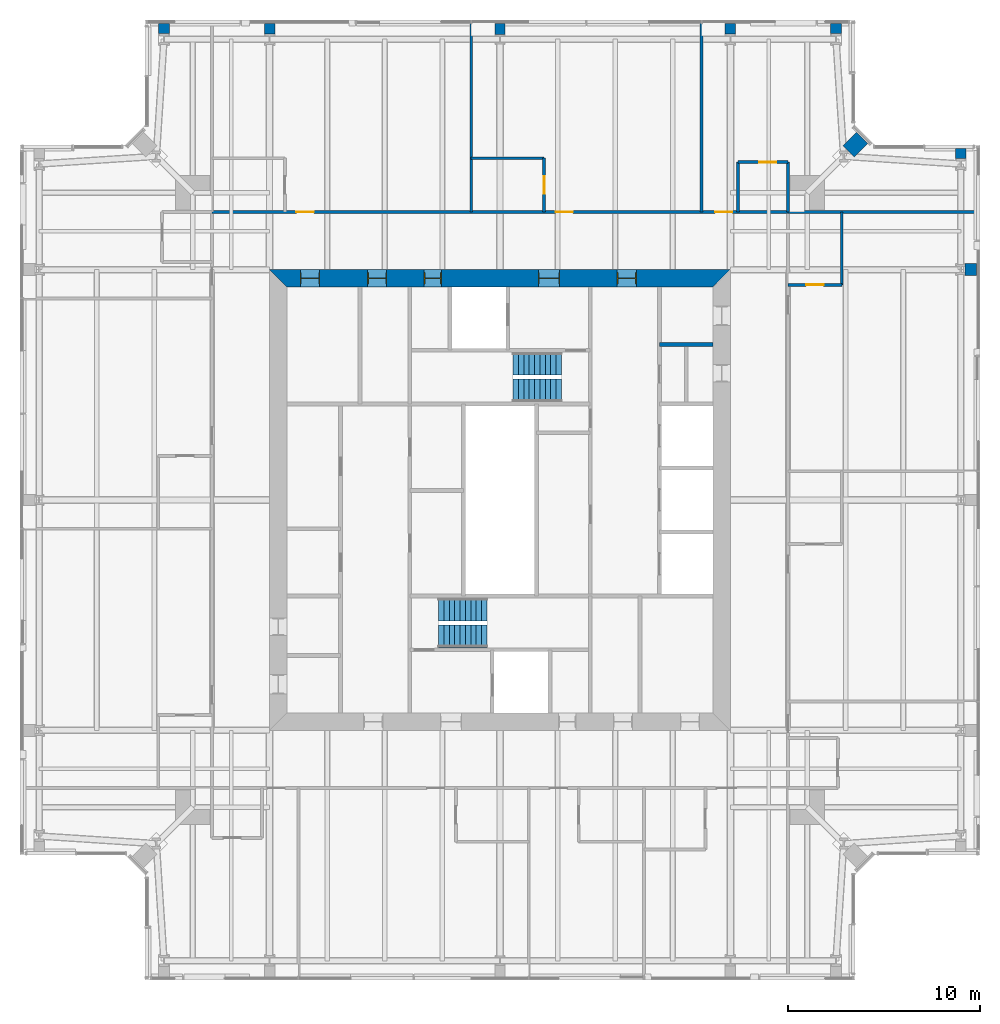
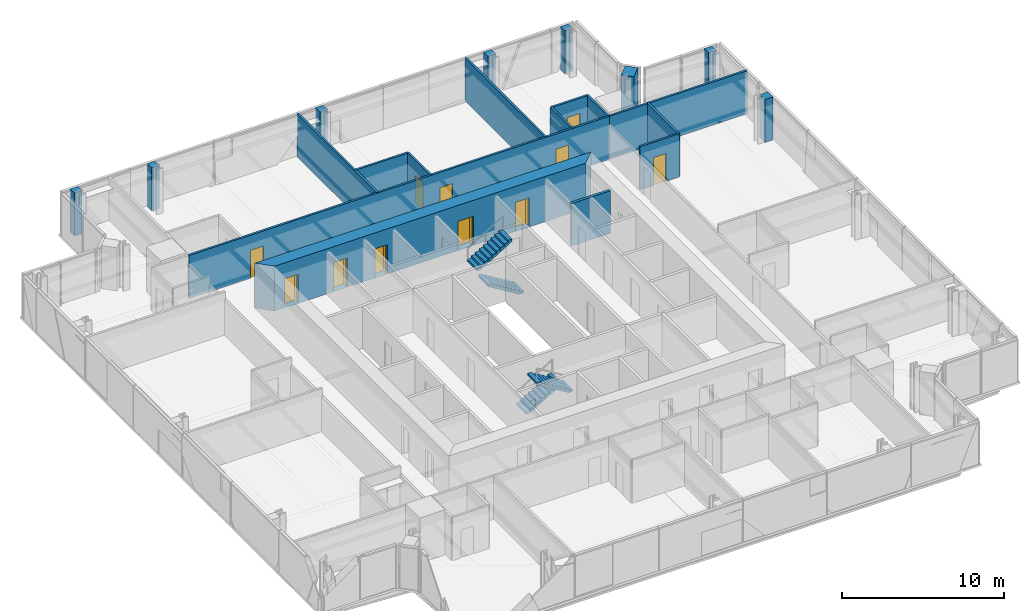
# One storey, part 14 of 20: 21 walls, 11 doors, 4 stair flights, 11 openings, 2 elements without a shape of their own.
"""IFC4 building model written with IfcOpenShell, lengths in metres."""

from ifc_helpers import new_model, si_unit, direction, frame, frame_2d, origin, place, context, subcontext, project, spatial, polyline, rectangle, outline, extrude, material, layer, layer_set, type_object, element, fill, aggregate, save


model = new_model("IFC4")

# Units and contexts
model_context = context("Model", 3, precision=1e-05, world=origin(), true_north=direction((0.0, 1.0)))
body_context = subcontext(model_context, "Body", "Model", "MODEL_VIEW")
ifc_project = project(units=[si_unit("LENGTHUNIT", "METRE"), si_unit("AREAUNIT", "SQUARE_METRE"), si_unit("VOLUMEUNIT", "CUBIC_METRE"), si_unit("PLANEANGLEUNIT", "RADIAN"), si_unit("MASSUNIT", "GRAM", prefix="KILO")], contexts=[model_context])

# Site, building, storey
site_placement = place(None, origin())
site = spatial("IfcSite", under=ifc_project, at=site_placement, CompositionType="ELEMENT")
building_placement = place(site_placement, origin())
building = spatial("IfcBuilding", under=site, at=building_placement, Name="Fenwick Lantern Interchange", CompositionType="ELEMENT")
storey_placement = place(building_placement, frame((0.0, 0.0, 276.39990234375)))
storey = spatial("IfcBuildingStorey", under=building, at=storey_placement, Name="L66", CompositionType="ELEMENT", Elevation=276.39990234375)

# Walls
ifc_material_1 = material(Name="Fire-rated gypsum board encasement on steel studs, 2 hour", Category="steel")
ifc_layer_1 = layer(ifc_material_1, 0.52392578125)
ifc_layer_set_1 = layer_set([ifc_layer_1], Name="COLUMN PIER 524")
wall_type_1 = type_object("IfcWallType", Name="COLUMN PIER 524", PredefinedType="PARTITIONING", material=ifc_layer_set_1)
wall_1_placement = place(storey_placement, frame((25.0, 49.81005859375, 0.0), z_axis=(0.0, 0.0, 1.0), x_axis=(0.0, -1.0, 0.0)))
element("IfcWall", 1, at=wall_1_placement, inside=storey, type_object=wall_type_1, Name="L66/W/PIER/CN3", PredefinedType="PARTITIONING", context=body_context, shape_type="SweptSolid", body=[
    extrude(rectangle(XDim=0.572509765625, YDim=0.52392578125, at=frame_2d((0.2861328125, 0.0))), origin(), (0.0, 0.0, 1.0), 3.25),
])
ifc_layer_2 = layer(ifc_material_1, 0.5419921875)
ifc_layer_set_2 = layer_set([ifc_layer_2], Name="COLUMN PIER 542")
wall_type_2 = type_object("IfcWallType", Name="COLUMN PIER 542", PredefinedType="PARTITIONING", material=ifc_layer_set_2)
for number, where, z_axis, x_axis, name in (
    (2, (37.0, 49.81005859375, 0.0), (0.0, 0.0, 1.0), (0.0, -1.0, 0.0), "L66/W/PIER/CN2"),
    (3, (13.0, 49.81005859375, 0.0), (0.0, 0.0, 1.0), (0.0, -1.0, 0.0), "L66/W/PIER/CN4"),
):
    element("IfcWall", number, at=place(storey_placement, frame(where, z_axis=z_axis, x_axis=x_axis)), inside=storey, type_object=wall_type_2, Name=name, PredefinedType="PARTITIONING", context=body_context, shape_type="SweptSolid", body=[
        extrude(rectangle(XDim=0.544677734375, YDim=0.5419921875, at=frame_2d((0.2724609375, 0.0))), origin(), (0.0, 0.0, 1.0), 3.25),
    ])
ifc_layer_3 = layer(ifc_material_1, 0.554931640625)
ifc_layer_set_3 = layer_set([ifc_layer_3], Name="COLUMN PIER 555")
wall_type_3 = type_object("IfcWallType", Name="COLUMN PIER 555", PredefinedType="PARTITIONING", material=ifc_layer_set_3)
for number, where, z_axis, x_axis, name in (
    (4, (49.0, 43.31005859375, 0.0), (0.0, 0.0, 1.0), (0.0, -1.0, 0.0), "L66/W/PIER/CE5"),
    (5, (42.5, 49.81005859375, 0.0), (0.0, 0.0, 1.0), (0.0, -1.0, 0.0), "L66/W/PIER/CN1"),
    (6, (7.5, 49.81005859375, 0.0), (0.0, 0.0, 1.0), (0.0, -1.0, 0.0), "L66/W/PIER/CN5"),
):
    element("IfcWall", number, at=place(storey_placement, frame(where, z_axis=z_axis, x_axis=x_axis)), inside=storey, type_object=wall_type_3, Name=name, PredefinedType="PARTITIONING", context=body_context, shape_type="SweptSolid", body=[
        extrude(rectangle(XDim=0.525634765625, YDim=0.554931640625, at=frame_2d((0.2626953125, 0.0))), origin(), (0.0, 0.0, 1.0), 3.25),
    ])
ifc_layer_4 = layer(ifc_material_1, 0.631103515625)
ifc_layer_set_4 = layer_set([ifc_layer_4], Name="COLUMN PIER 631")
wall_type_4 = type_object("IfcWallType", Name="COLUMN PIER 631", PredefinedType="PARTITIONING", material=ifc_layer_set_4)
wall_2_placement = place(storey_placement, frame((49.81005859375, 37.0, 0.0), z_axis=(0.0, 0.0, 1.0), x_axis=(-1.0, 0.0, 0.0)))
element("IfcWall", 7, at=wall_2_placement, inside=storey, type_object=wall_type_4, Name="L66/W/PIER/CE4", PredefinedType="PARTITIONING", context=body_context, shape_type="SweptSolid", body=[
    extrude(rectangle(XDim=0.589111328125, YDim=0.631103515625, at=frame_2d((0.29443359375, 0.0))), origin(), (0.0, 0.0, 1.0), 3.25),
])
ifc_layer_5 = layer(ifc_material_1, 0.823974609375)
ifc_layer_set_5 = layer_set([ifc_layer_5], Name="COLUMN PIER 824")
wall_type_5 = type_object("IfcWallType", Name="COLUMN PIER 824", PredefinedType="PARTITIONING", material=ifc_layer_set_5)
wall_3_placement = place(storey_placement, frame((43.86572265625, 43.86572265625, 0.0), z_axis=(0.0, 0.0, 1.0), x_axis=(-0.707106781187, -0.707106781187, 0.0)))
element("IfcWall", 8, at=wall_3_placement, inside=storey, type_object=wall_type_5, Name="L66/W/PIER/CER", PredefinedType="PARTITIONING", context=body_context, shape_type="SweptSolid", body=[
    extrude(rectangle(XDim=1.003662109375, YDim=0.823974609375, at=frame_2d((0.501953125, 0.0))), origin(), (0.0, 0.0, 1.0), 3.25),
])
ifc_material_2 = material(Name="Concrete masonry ASTM C90 Grade N", Category="masonry")
ifc_layer_6 = layer(ifc_material_2, 0.199951171875)
ifc_layer_set_6 = layer_set([ifc_layer_6], Name="Concrete masonry ASTM C90 Grade N")
wall_type_6 = type_object("IfcWallType", Name="CORE PARTITION 200", PredefinedType="PARTITIONING", material=ifc_layer_set_6)
wall_4_placement = place(storey_placement, frame((36.10009765625, 33.10009765625, 0.0), z_axis=(0.0, 0.0, 1.0), x_axis=(-1.0, 0.0, 0.0)))
element("IfcWall", 9, at=wall_4_placement, inside=storey, type_object=wall_type_6, Name="L66/W/COREN/p1", PredefinedType="PARTITIONING", context=body_context, shape_type="SweptSolid", body=[
    extrude(rectangle(XDim=2.800048828125, YDim=0.199951171875, at=frame_2d((1.39990234375, 0.0))), origin(), (0.0, 0.0, 1.0), 3.2001953125),
])

# Wall, openings, doors
ifc_material_3 = material(Name="Concrete f'c 70 MPa", Category="concrete")
ifc_layer_7 = layer(ifc_material_3, 0.89990234375)
ifc_layer_set_7 = layer_set([ifc_layer_7], Name="CORE WALL 900")
wall_type_7 = type_object("IfcWallType", Name="CORE WALL 900", PredefinedType="SHEAR", material=ifc_layer_set_7)
wall_5_placement = place(storey_placement, frame((37.0, 36.550048828125, 0.0), z_axis=(0.0, 0.0, 1.0), x_axis=(-1.0, 0.0, 0.0)))
wall_5 = element("IfcWall", 10, at=wall_5_placement, inside=storey, type_object=wall_type_7, Name="L66/CORE/N", PredefinedType="SHEAR", context=body_context, shape_type="SweptSolid", body=[
    extrude(outline(polyline([(0.0, -0.449951171875), (24.0, -0.449951171875), (23.10009765625, 0.449951171875), (0.89990234375, 0.449951171875), (0.0, -0.449951171875)])), origin(), (0.0, 0.0, 1.0), 3.400146484375),
])
opening_1_placement = place(wall_5_placement, frame((4.89990234375, 0.0, 0.0)))
opening_1 = element("IfcOpeningElement", 11, at=opening_1_placement, cuts=wall_5, Name="Opening L66-D013", PredefinedType="OPENING", context=body_context, shape_type="SweptSolid", body=[
    extrude(rectangle(XDim=1.0, YDim=2.199951171875, at=frame_2d((0.5, 1.10009765625))), frame((0.0, 0.4599609375, 0.0), z_axis=(0.0, -1.0, 0.0), x_axis=(1.0, 0.0, 0.0)), (0.0, 0.0, 1.0), 0.919921875),
])
opening_2_placement = place(wall_5_placement, frame((8.89990234375, 0.0, 0.0)))
opening_2 = element("IfcOpeningElement", 12, at=opening_2_placement, cuts=wall_5, Name="Opening L66-D014", PredefinedType="OPENING", context=body_context, shape_type="SweptSolid", body=[
    extrude(rectangle(XDim=1.10009765625, YDim=2.199951171875, at=frame_2d((0.550048828125, 1.10009765625))), frame((0.0, 0.4599609375, 0.0), z_axis=(0.0, -1.0, 0.0), x_axis=(1.0, 0.0, 0.0)), (0.0, 0.0, 1.0), 0.919921875),
])
opening_3_placement = place(wall_5_placement, frame((15.050048828125, 0.0, 0.0)))
opening_3 = element("IfcOpeningElement", 13, at=opening_3_placement, cuts=wall_5, Name="Opening L66-D016", PredefinedType="OPENING", context=body_context, shape_type="SweptSolid", body=[
    extrude(rectangle(XDim=0.89990234375, YDim=2.199951171875, at=frame_2d((0.449951171875, 1.10009765625))), frame((0.0, 0.4599609375, 0.0), z_axis=(0.0, -1.0, 0.0), x_axis=(1.0, 0.0, 0.0)), (0.0, 0.0, 1.0), 0.919921875),
])
opening_4_placement = place(wall_5_placement, frame((17.89990234375, 0.0, 0.0)))
opening_4 = element("IfcOpeningElement", 14, at=opening_4_placement, cuts=wall_5, Name="Opening L66-D017", PredefinedType="OPENING", context=body_context, shape_type="SweptSolid", body=[
    extrude(rectangle(XDim=1.0, YDim=2.199951171875, at=frame_2d((0.5, 1.10009765625))), frame((0.0, 0.4599609375, 0.0), z_axis=(0.0, -1.0, 0.0), x_axis=(1.0, 0.0, 0.0)), (0.0, 0.0, 1.0), 0.919921875),
])
opening_5_placement = place(wall_5_placement, frame((21.39990234375, 0.0, 0.0)))
opening_5 = element("IfcOpeningElement", 15, at=opening_5_placement, cuts=wall_5, Name="Opening L66-D018", PredefinedType="OPENING", context=body_context, shape_type="SweptSolid", body=[
    extrude(rectangle(XDim=1.0, YDim=2.199951171875, at=frame_2d((0.5, 1.10009765625))), frame((0.0, 0.4599609375, 0.0), z_axis=(0.0, -1.0, 0.0), x_axis=(1.0, 0.0, 0.0)), (0.0, 0.0, 1.0), 0.919921875),
])
ifc_material_4 = material(Name="Steel door and frame", Category="steel")
door_type_1 = type_object("IfcDoorType", Name="CORE LOBBY DOOR 1000 X 2200", OperationType="SINGLE_SWING_LEFT", PredefinedType="DOOR", material=ifc_material_4)
door_1_placement = place(opening_1_placement, origin())
door_1 = element("IfcDoor", 16, at=door_1_placement, inside=storey, type_object=door_type_1, Name="Core lobby door", OperationType="SINGLE_SWING_LEFT", OverallHeight=2.199951171875, OverallWidth=1.0, PredefinedType="DOOR", context=body_context, shape_type="SweptSolid", body=[
    extrude(rectangle(XDim=1.0, YDim=2.199951171875, at=frame_2d((0.5, 1.10009765625))), frame((0.0, 0.02490234375, 0.0), z_axis=(0.0, -1.0, 0.0), x_axis=(1.0, 0.0, 0.0)), (0.0, 0.0, 1.0), 0.050048828125),
    extrude(outline(polyline([(0.0, 0.0), (0.0400390625, 0.0), (0.0400390625, 2.159912109375), (0.9599609375, 2.159912109375), (0.9599609375, 0.0), (1.0, 0.0), (1.0, 2.199951171875), (0.0, 2.199951171875), (0.0, 0.0)])), frame((0.0, 0.300048828125, 0.0), z_axis=(0.0, -1.0, 0.0), x_axis=(1.0, 0.0, 0.0)), (0.0, 0.0, 1.0), 0.60009765625),
])
fill(opening_1, door_1)
door_type_2 = type_object("IfcDoorType", Name="FIRE LOBBY DOOR 1100 X 2200", OperationType="SINGLE_SWING_LEFT", PredefinedType="DOOR", material=ifc_material_4)
door_2_placement = place(opening_2_placement, origin())
door_2 = element("IfcDoor", 17, at=door_2_placement, inside=storey, type_object=door_type_2, Name="Fire lobby door", OperationType="SINGLE_SWING_LEFT", OverallHeight=2.199951171875, OverallWidth=1.10009765625, PredefinedType="DOOR", context=body_context, shape_type="SweptSolid", body=[
    extrude(rectangle(XDim=1.10009765625, YDim=2.199951171875, at=frame_2d((0.550048828125, 1.10009765625))), frame((0.0, 0.02490234375, 0.0), z_axis=(0.0, -1.0, 0.0), x_axis=(1.0, 0.0, 0.0)), (0.0, 0.0, 1.0), 0.050048828125),
    extrude(outline(polyline([(0.0, 0.0), (0.0400390625, 0.0), (0.0400390625, 2.159912109375), (1.06005859375, 2.159912109375), (1.06005859375, 0.0), (1.10009765625, 0.0), (1.10009765625, 2.199951171875), (0.0, 2.199951171875), (0.0, 0.0)])), frame((0.0, 0.300048828125, 0.0), z_axis=(0.0, -1.0, 0.0), x_axis=(1.0, 0.0, 0.0)), (0.0, 0.0, 1.0), 0.60009765625),
])
fill(opening_2, door_2)
door_type_3 = type_object("IfcDoorType", Name="SERVICE DOOR 900 X 2200", OperationType="SINGLE_SWING_LEFT", PredefinedType="DOOR", material=ifc_material_4)
door_3_placement = place(opening_3_placement, origin())
door_3 = element("IfcDoor", 18, at=door_3_placement, inside=storey, type_object=door_type_3, Name="Service door", OperationType="SINGLE_SWING_LEFT", OverallHeight=2.199951171875, OverallWidth=0.89990234375, PredefinedType="DOOR", context=body_context, shape_type="SweptSolid", body=[
    extrude(rectangle(XDim=0.89990234375, YDim=2.199951171875, at=frame_2d((0.449951171875, 1.10009765625))), frame((0.0, 0.02490234375, 0.0), z_axis=(0.0, -1.0, 0.0), x_axis=(1.0, 0.0, 0.0)), (0.0, 0.0, 1.0), 0.050048828125),
    extrude(outline(polyline([(0.0, 0.0), (0.0400390625, 0.0), (0.0400390625, 2.159912109375), (0.85986328125, 2.159912109375), (0.85986328125, 0.0), (0.89990234375, 0.0), (0.89990234375, 2.199951171875), (0.0, 2.199951171875), (0.0, 0.0)])), frame((0.0, 0.300048828125, 0.0), z_axis=(0.0, -1.0, 0.0), x_axis=(1.0, 0.0, 0.0)), (0.0, 0.0, 1.0), 0.60009765625),
])
fill(opening_3, door_3)
ifc_material_5 = material(Name="Hardwood door and steel frame", Category="steel")
door_type_4 = type_object("IfcDoorType", Name="WC DOOR 1000 X 2200", OperationType="SINGLE_SWING_LEFT", PredefinedType="DOOR", material=ifc_material_5)
door_4_placement = place(opening_4_placement, origin())
door_4 = element("IfcDoor", 19, at=door_4_placement, inside=storey, type_object=door_type_4, Name="Wc door", OperationType="SINGLE_SWING_RIGHT", OverallHeight=2.199951171875, OverallWidth=1.0, PredefinedType="DOOR", context=body_context, shape_type="SweptSolid", body=[
    extrude(rectangle(XDim=1.0, YDim=2.199951171875, at=frame_2d((0.5, 1.10009765625))), frame((0.0, 0.02490234375, 0.0), z_axis=(0.0, -1.0, 0.0), x_axis=(1.0, 0.0, 0.0)), (0.0, 0.0, 1.0), 0.050048828125),
    extrude(outline(polyline([(0.0, 0.0), (0.0400390625, 0.0), (0.0400390625, 2.159912109375), (0.9599609375, 2.159912109375), (0.9599609375, 0.0), (1.0, 0.0), (1.0, 2.199951171875), (0.0, 2.199951171875), (0.0, 0.0)])), frame((0.0, 0.300048828125, 0.0), z_axis=(0.0, -1.0, 0.0), x_axis=(1.0, 0.0, 0.0)), (0.0, 0.0, 1.0), 0.60009765625),
])
fill(opening_4, door_4)
door_5_placement = place(opening_5_placement, origin())
door_5 = element("IfcDoor", 20, at=door_5_placement, inside=storey, type_object=door_type_4, Name="Wc door", OperationType="SINGLE_SWING_RIGHT", OverallHeight=2.199951171875, OverallWidth=1.0, PredefinedType="DOOR", context=body_context, shape_type="SweptSolid", body=[
    extrude(rectangle(XDim=1.0, YDim=2.199951171875, at=frame_2d((0.5, 1.10009765625))), frame((0.0, 0.02490234375, 0.0), z_axis=(0.0, -1.0, 0.0), x_axis=(1.0, 0.0, 0.0)), (0.0, 0.0, 1.0), 0.050048828125),
    extrude(outline(polyline([(0.0, 0.0), (0.0400390625, 0.0), (0.0400390625, 2.159912109375), (0.9599609375, 2.159912109375), (0.9599609375, 0.0), (1.0, 0.0), (1.0, 2.199951171875), (0.0, 2.199951171875), (0.0, 0.0)])), frame((0.0, 0.300048828125, 0.0), z_axis=(0.0, -1.0, 0.0), x_axis=(1.0, 0.0, 0.0)), (0.0, 0.0, 1.0), 0.60009765625),
])
fill(opening_5, door_5)

ifc_material_6 = material(Name="Gypsum board on steel studs, 1 hour", Category="steel")
ifc_layer_8 = layer(ifc_material_6, 0.14990234375)
ifc_layer_set_8 = layer_set([ifc_layer_8], Name="CORRIDOR WALL 150")
wall_type_8 = type_object("IfcWallType", Name="CORRIDOR WALL 150", PredefinedType="PARTITIONING", material=ifc_layer_set_8)
wall_6_placement = place(storey_placement, frame((40.0, 40.0, 0.0), z_axis=(0.0, 0.0, 1.0), x_axis=(-1.0, 0.0, 0.0)))
wall_6 = element("IfcWall", 21, at=wall_6_placement, inside=storey, type_object=wall_type_8, Name="L66/W/HOTEL/N/CW", PredefinedType="PARTITIONING", context=body_context, shape_type="SweptSolid", body=[
    extrude(rectangle(XDim=30.0, YDim=0.14990234375, at=frame_2d((15.0, 0.0))), origin(), (0.0, 0.0, 1.0), 3.25),
])
opening_6_placement = place(wall_6_placement, frame((2.89990234375, 0.0, 0.0)))
opening_6 = element("IfcOpeningElement", 22, at=opening_6_placement, cuts=wall_6, Name="Opening L66-D038", PredefinedType="OPENING", context=body_context, shape_type="SweptSolid", body=[
    extrude(rectangle(XDim=0.89990234375, YDim=2.10009765625, at=frame_2d((0.449951171875, 1.050048828125))), frame((0.0, 0.0849609375, 0.0), z_axis=(0.0, -1.0, 0.0), x_axis=(1.0, 0.0, 0.0)), (0.0, 0.0, 1.0), 0.169921875),
])
opening_7_placement = place(wall_6_placement, frame((11.199951171875, 0.0, 0.0)))
opening_7 = element("IfcOpeningElement", 23, at=opening_7_placement, cuts=wall_6, Name="Opening L66-D041", PredefinedType="OPENING", context=body_context, shape_type="SweptSolid", body=[
    extrude(rectangle(XDim=0.89990234375, YDim=2.10009765625, at=frame_2d((0.449951171875, 1.050048828125))), frame((0.0, 0.0849609375, 0.0), z_axis=(0.0, -1.0, 0.0), x_axis=(1.0, 0.0, 0.0)), (0.0, 0.0, 1.0), 0.169921875),
])
opening_8_placement = place(wall_6_placement, frame((24.699951171875, 0.0, 0.0)))
opening_8 = element("IfcOpeningElement", 24, at=opening_8_placement, cuts=wall_6, Name="Opening L66-D043", PredefinedType="OPENING", context=body_context, shape_type="SweptSolid", body=[
    extrude(rectangle(XDim=0.89990234375, YDim=2.10009765625, at=frame_2d((0.449951171875, 1.050048828125))), frame((0.0, 0.0849609375, 0.0), z_axis=(0.0, -1.0, 0.0), x_axis=(1.0, 0.0, 0.0)), (0.0, 0.0, 1.0), 0.169921875),
])
door_type_5 = type_object("IfcDoorType", Name="GUEST ROOM DOOR 900 X 2100", OperationType="SINGLE_SWING_LEFT", PredefinedType="DOOR", material=ifc_material_4)
door_6_placement = place(opening_6_placement, frame((0.89990234375, 0.0, 0.0), z_axis=(0.0, 0.0, 1.0), x_axis=(-1.0, 0.0, 0.0)))
door_6 = element("IfcDoor", 25, at=door_6_placement, inside=storey, type_object=door_type_5, Name="Guest room door", OperationType="SINGLE_SWING_RIGHT", OverallHeight=2.10009765625, OverallWidth=0.89990234375, PredefinedType="DOOR", context=body_context, shape_type="SweptSolid", body=[
    extrude(rectangle(XDim=0.89990234375, YDim=2.10009765625, at=frame_2d((0.449951171875, 1.050048828125))), frame((0.0, 0.02490234375, 0.0), z_axis=(0.0, -1.0, 0.0), x_axis=(1.0, 0.0, 0.0)), (0.0, 0.0, 1.0), 0.050048828125),
])
fill(opening_6, door_6)
door_7_placement = place(opening_7_placement, frame((0.89990234375, 0.0, 0.0), z_axis=(0.0, 0.0, 1.0), x_axis=(-1.0, 0.0, 0.0)))
door_7 = element("IfcDoor", 26, at=door_7_placement, inside=storey, type_object=door_type_5, Name="Guest room door", OperationType="SINGLE_SWING_LEFT", OverallHeight=2.10009765625, OverallWidth=0.89990234375, PredefinedType="DOOR", context=body_context, shape_type="SweptSolid", body=[
    extrude(rectangle(XDim=0.89990234375, YDim=2.10009765625, at=frame_2d((0.449951171875, 1.050048828125))), frame((0.0, 0.02490234375, 0.0), z_axis=(0.0, -1.0, 0.0), x_axis=(1.0, 0.0, 0.0)), (0.0, 0.0, 1.0), 0.050048828125),
])
fill(opening_7, door_7)
door_8_placement = place(opening_8_placement, frame((0.89990234375, 0.0, 0.0), z_axis=(0.0, 0.0, 1.0), x_axis=(-1.0, 0.0, 0.0)))
door_8 = element("IfcDoor", 27, at=door_8_placement, inside=storey, type_object=door_type_5, Name="Guest room door", OperationType="SINGLE_SWING_LEFT", OverallHeight=2.10009765625, OverallWidth=0.89990234375, PredefinedType="DOOR", context=body_context, shape_type="SweptSolid", body=[
    extrude(rectangle(XDim=0.89990234375, YDim=2.10009765625, at=frame_2d((0.449951171875, 1.050048828125))), frame((0.0, 0.02490234375, 0.0), z_axis=(0.0, -1.0, 0.0), x_axis=(1.0, 0.0, 0.0)), (0.0, 0.0, 1.0), 0.050048828125),
])
fill(opening_8, door_8)

# Wall
ifc_material_7 = material(Name="Gypsum board on steel studs, moisture resistant", Category="steel")
ifc_layer_9 = layer(ifc_material_7, 0.14990234375)
ifc_layer_set_9 = layer_set([ifc_layer_9], Name="EN-SUITE WALL 150")
wall_type_9 = type_object("IfcWallType", Name="EN-SUITE WALL 150", PredefinedType="PARTITIONING", material=ifc_layer_set_9)
wall_7_placement = place(storey_placement, frame((42.800048828125, 36.199951171875, 0.0), z_axis=(0.0, 0.0, 1.0), x_axis=(0.0, 1.0, 0.0)))
element("IfcWall", 28, at=wall_7_placement, inside=storey, type_object=wall_type_9, Name="L66/W/HOTEL/E/U3BW", PredefinedType="PARTITIONING", context=body_context, shape_type="SweptSolid", body=[
    extrude(rectangle(XDim=3.800048828125, YDim=0.14990234375, at=frame_2d((1.89990234375, 0.0))), origin(), (0.0, 0.0, 1.0), 3.25),
])

# Wall, opening, door
wall_8_placement = place(storey_placement, frame((42.800048828125, 36.199951171875, 0.0), z_axis=(0.0, 0.0, 1.0), x_axis=(-1.0, 0.0, 0.0)))
wall_8 = element("IfcWall", 29, at=wall_8_placement, inside=storey, type_object=wall_type_9, Name="L66/W/HOTEL/E/U3BX", PredefinedType="PARTITIONING", context=body_context, shape_type="SweptSolid", body=[
    extrude(rectangle(XDim=2.800048828125, YDim=0.14990234375, at=frame_2d((1.39990234375, 0.0))), origin(), (0.0, 0.0, 1.0), 3.25),
])
opening_9_placement = place(wall_8_placement, frame((0.949951171875, 0.0, 0.0)))
opening_9 = element("IfcOpeningElement", 30, at=opening_9_placement, cuts=wall_8, Name="Opening L66-D036", PredefinedType="OPENING", context=body_context, shape_type="SweptSolid", body=[
    extrude(rectangle(XDim=0.89990234375, YDim=2.10009765625, at=frame_2d((0.449951171875, 1.050048828125))), frame((0.0, 0.0849609375, 0.0), z_axis=(0.0, -1.0, 0.0), x_axis=(1.0, 0.0, 0.0)), (0.0, 0.0, 1.0), 0.169921875),
])
door_type_6 = type_object("IfcDoorType", Name="EN-SUITE DOOR 900 X 2100", OperationType="SINGLE_SWING_LEFT", PredefinedType="DOOR", material=ifc_material_5)
door_9_placement = place(opening_9_placement, frame((0.89990234375, 0.0, 0.0), z_axis=(0.0, 0.0, 1.0), x_axis=(-1.0, 0.0, 0.0)))
door_9 = element("IfcDoor", 31, at=door_9_placement, inside=storey, type_object=door_type_6, Name="En-suite door", OperationType="SINGLE_SWING_RIGHT", OverallHeight=2.10009765625, OverallWidth=0.89990234375, PredefinedType="DOOR", context=body_context, shape_type="SweptSolid", body=[
    extrude(rectangle(XDim=0.89990234375, YDim=2.10009765625, at=frame_2d((0.449951171875, 1.050048828125))), frame((0.0, 0.02490234375, 0.0), z_axis=(0.0, -1.0, 0.0), x_axis=(1.0, 0.0, 0.0)), (0.0, 0.0, 1.0), 0.050048828125),
])
fill(opening_9, door_9)

wall_9_placement = place(storey_placement, frame((40.0, 42.60009765625, 0.0), z_axis=(0.0, 0.0, 1.0), x_axis=(-1.0, 0.0, 0.0)))
wall_9 = element("IfcWall", 32, at=wall_9_placement, inside=storey, type_object=wall_type_9, Name="L66/W/HOTEL/N/U1BW", PredefinedType="PARTITIONING", context=body_context, shape_type="SweptSolid", body=[
    extrude(rectangle(XDim=2.60009765625, YDim=0.14990234375, at=frame_2d((1.300048828125, 0.0))), origin(), (0.0, 0.0, 1.0), 3.25),
])
opening_10_placement = place(wall_9_placement, frame((0.60009765625, 0.0, 0.0)))
opening_10 = element("IfcOpeningElement", 33, at=opening_10_placement, cuts=wall_9, Name="Opening L66-D039", PredefinedType="OPENING", context=body_context, shape_type="SweptSolid", body=[
    extrude(rectangle(XDim=0.89990234375, YDim=2.10009765625, at=frame_2d((0.449951171875, 1.050048828125))), frame((0.0, 0.0849609375, 0.0), z_axis=(0.0, -1.0, 0.0), x_axis=(1.0, 0.0, 0.0)), (0.0, 0.0, 1.0), 0.169921875),
])
door_10_placement = place(opening_10_placement, origin())
door_10 = element("IfcDoor", 34, at=door_10_placement, inside=storey, type_object=door_type_6, Name="En-suite door", OperationType="SINGLE_SWING_LEFT", OverallHeight=2.10009765625, OverallWidth=0.89990234375, PredefinedType="DOOR", context=body_context, shape_type="SweptSolid", body=[
    extrude(rectangle(XDim=0.89990234375, YDim=2.10009765625, at=frame_2d((0.449951171875, 1.050048828125))), frame((0.0, 0.02490234375, 0.0), z_axis=(0.0, -1.0, 0.0), x_axis=(1.0, 0.0, 0.0)), (0.0, 0.0, 1.0), 0.050048828125),
])
fill(opening_10, door_10)

# Walls
for number, where, z_axis, x_axis, name in (
    (35, (40.0, 42.60009765625, 0.0), (0.0, 0.0, 1.0), (0.0, -1.0, 0.0), "L66/W/HOTEL/N/U1BX"),
    (36, (37.39990234375, 42.60009765625, 0.0), (0.0, 0.0, 1.0), (0.0, -1.0, 0.0), "L66/W/HOTEL/N/U1BE"),
):
    element("IfcWall", number, at=place(storey_placement, frame(where, z_axis=z_axis, x_axis=x_axis)), inside=storey, type_object=wall_type_9, Name=name, PredefinedType="PARTITIONING", context=body_context, shape_type="SweptSolid", body=[
        extrude(rectangle(XDim=2.60009765625, YDim=0.14990234375, at=frame_2d((1.300048828125, 0.0))), origin(), (0.0, 0.0, 1.0), 3.25),
    ])
wall_10_placement = place(storey_placement, frame((27.300048828125, 42.800048828125, 0.0), z_axis=(0.0, 0.0, 1.0), x_axis=(-1.0, 0.0, 0.0)))
element("IfcWall", 37, at=wall_10_placement, inside=storey, type_object=wall_type_9, Name="L66/W/HOTEL/N/U2BW", PredefinedType="PARTITIONING", context=body_context, shape_type="SweptSolid", body=[
    extrude(rectangle(XDim=3.800048828125, YDim=0.14990234375, at=frame_2d((1.89990234375, 0.0))), origin(), (0.0, 0.0, 1.0), 3.25),
])

# Wall, opening, door
wall_11_placement = place(storey_placement, frame((27.300048828125, 42.800048828125, 0.0), z_axis=(0.0, 0.0, 1.0), x_axis=(0.0, -1.0, 0.0)))
wall_11 = element("IfcWall", 38, at=wall_11_placement, inside=storey, type_object=wall_type_9, Name="L66/W/HOTEL/N/U2BX", PredefinedType="PARTITIONING", context=body_context, shape_type="SweptSolid", body=[
    extrude(rectangle(XDim=2.800048828125, YDim=0.14990234375, at=frame_2d((1.39990234375, 0.0))), origin(), (0.0, 0.0, 1.0), 3.25),
])
opening_11_placement = place(wall_11_placement, frame((0.949951171875, 0.0, 0.0)))
opening_11 = element("IfcOpeningElement", 39, at=opening_11_placement, cuts=wall_11, Name="Opening L66-D040", PredefinedType="OPENING", context=body_context, shape_type="SweptSolid", body=[
    extrude(rectangle(XDim=0.89990234375, YDim=2.10009765625, at=frame_2d((0.449951171875, 1.050048828125))), frame((0.0, 0.0849609375, 0.0), z_axis=(0.0, -1.0, 0.0), x_axis=(1.0, 0.0, 0.0)), (0.0, 0.0, 1.0), 0.169921875),
])
door_11_placement = place(opening_11_placement, frame((0.89990234375, 0.0, 0.0), z_axis=(0.0, 0.0, 1.0), x_axis=(-1.0, 0.0, 0.0)))
door_11 = element("IfcDoor", 40, at=door_11_placement, inside=storey, type_object=door_type_6, Name="En-suite door", OperationType="SINGLE_SWING_RIGHT", OverallHeight=2.10009765625, OverallWidth=0.89990234375, PredefinedType="DOOR", context=body_context, shape_type="SweptSolid", body=[
    extrude(rectangle(XDim=0.89990234375, YDim=2.10009765625, at=frame_2d((0.449951171875, 1.050048828125))), frame((0.0, 0.02490234375, 0.0), z_axis=(0.0, -1.0, 0.0), x_axis=(1.0, 0.0, 0.0)), (0.0, 0.0, 1.0), 0.050048828125),
])
fill(opening_11, door_11)

# Walls
ifc_material_8 = material(Name="Gypsum board on steel studs, 1 hour acoustic", Category="steel")
ifc_layer_10 = layer(ifc_material_8, 0.14990234375)
ifc_layer_set_10 = layer_set([ifc_layer_10], Name="PARTY WALL 150")
wall_type_10 = type_object("IfcWallType", Name="PARTY WALL 150", PredefinedType="PARTITIONING", material=ifc_layer_set_10)
for number, where, z_axis, x_axis, name in (
    (41, (49.85009765625, 40.0, 0.0), (0.0, 0.0, 1.0), (-1.0, 0.0, 0.0), "L66/W/HOTEL/N/SW3"),
    (42, (35.5, 49.85009765625, 0.0), (0.0, 0.0, 1.0), (0.0, -1.0, 0.0), "L66/W/HOTEL/N/U2PW"),
    (43, (23.5, 49.85009765625, 0.0), (0.0, 0.0, 1.0), (0.0, -1.0, 0.0), "L66/W/HOTEL/N/U3PW"),
):
    element("IfcWall", number, at=place(storey_placement, frame(where, z_axis=z_axis, x_axis=x_axis)), inside=storey, type_object=wall_type_10, Name=name, PredefinedType="PARTITIONING", context=body_context, shape_type="SweptSolid", body=[
        extrude(rectangle(XDim=9.85009765625, YDim=0.14990234375, at=frame_2d((4.925048828125, 0.0))), origin(), (0.0, 0.0, 1.0), 3.25),
    ])

# Stair, stair flights
ifc_material_9 = material(Name="Precast concrete f'c 35 MPa", Category="concrete")
stair_type = type_object("IfcStairType", Name="EXIT STAIR 1200", PredefinedType="HALF_TURN_STAIR", material=ifc_material_9)
stair_1_placement = place(storey_placement, origin())
stair_1 = element("IfcStair", 44, at=stair_1_placement, inside=storey, type_object=stair_type, Name="Exit stair ST1", PredefinedType="HALF_TURN_STAIR")
stair_flight_type = type_object("IfcStairFlightType", Name="STAIR FLIGHT 1200", PredefinedType="STRAIGHT", material=ifc_material_9)
stair_flight_1_placement = place(storey_placement, frame((21.800048828125, 19.300048828125, 0.0), z_axis=(0.0, 0.0, 1.0), x_axis=(1.0, 0.0, 0.0)))
stair_flight_1 = element("IfcStairFlight", 45, at=stair_flight_1_placement, type_object=stair_flight_type, Name="ST1 flight 1", NumberOfRisers=10, NumberOfTreads=9, PredefinedType="STRAIGHT", RiserHeight=0.17, TreadLength=0.28, context=body_context, shape_type="SweptSolid", body=[
    extrude(outline(polyline([(0.0, 0.0), (0.0, 0.169921875), (0.280029296875, 0.169921875), (0.280029296875, 0.340087890625), (0.56005859375, 0.340087890625), (0.56005859375, 0.510009765625), (0.840087890625, 0.510009765625), (0.840087890625, 0.679931640625), (1.1201171875, 0.679931640625), (1.1201171875, 0.85009765625), (1.39990234375, 0.85009765625), (1.39990234375, 1.02001953125), (1.679931640625, 1.02001953125), (1.679931640625, 1.18994140625), (1.9599609375, 1.18994140625), (1.9599609375, 1.360107421875), (2.239990234375, 1.360107421875), (2.239990234375, 1.530029296875), (2.52001953125, 1.530029296875), (2.52001953125, 1.699951171875), (2.52001953125, 1.354736328125), (0.288818359375, 0.0), (0.0, 0.0)])), frame((0.0, 0.60009765625, 0.0), z_axis=(0.0, -1.0, 0.0), x_axis=(1.0, 0.0, 0.0)), (0.0, 0.0, 1.0), 1.199951171875),
])
stair_flight_2_placement = place(storey_placement, frame((24.320068359375, 17.89990234375, 1.7001953125), z_axis=(0.0, 0.0, 1.0), x_axis=(-1.0, 0.0, 0.0)))
stair_flight_2 = element("IfcStairFlight", 46, at=stair_flight_2_placement, type_object=stair_flight_type, Name="ST1 flight 2", NumberOfRisers=10, NumberOfTreads=9, PredefinedType="STRAIGHT", RiserHeight=0.17, TreadLength=0.28, context=body_context, shape_type="SweptSolid", body=[
    extrude(outline(polyline([(0.0, 0.0), (0.0, 0.169921875), (0.280029296875, 0.169921875), (0.280029296875, 0.340087890625), (0.56005859375, 0.340087890625), (0.56005859375, 0.510009765625), (0.840087890625, 0.510009765625), (0.840087890625, 0.679931640625), (1.1201171875, 0.679931640625), (1.1201171875, 0.85009765625), (1.39990234375, 0.85009765625), (1.39990234375, 1.02001953125), (1.679931640625, 1.02001953125), (1.679931640625, 1.18994140625), (1.9599609375, 1.18994140625), (1.9599609375, 1.360107421875), (2.239990234375, 1.360107421875), (2.239990234375, 1.530029296875), (2.52001953125, 1.530029296875), (2.52001953125, 1.699951171875), (2.52001953125, 1.354736328125), (0.288818359375, 0.0), (0.0, 0.0)])), frame((0.0, 0.60009765625, 0.0), z_axis=(0.0, -1.0, 0.0), x_axis=(1.0, 0.0, 0.0)), (0.0, 0.0, 1.0), 1.199951171875),
])
aggregate(stair_1, [stair_flight_1, stair_flight_2])

stair_2_placement = place(storey_placement, origin())
stair_2 = element("IfcStair", 47, at=stair_2_placement, inside=storey, type_object=stair_type, Name="Exit stair ST2", PredefinedType="HALF_TURN_STAIR")
stair_flight_3_placement = place(storey_placement, frame((28.199951171875, 30.699951171875, 0.0), z_axis=(0.0, 0.0, 1.0), x_axis=(-1.0, 0.0, 0.0)))
stair_flight_3 = element("IfcStairFlight", 48, at=stair_flight_3_placement, type_object=stair_flight_type, Name="ST2 flight 1", NumberOfRisers=10, NumberOfTreads=9, PredefinedType="STRAIGHT", RiserHeight=0.17, TreadLength=0.28, context=body_context, shape_type="SweptSolid", body=[
    extrude(outline(polyline([(0.0, 0.0), (0.0, 0.169921875), (0.280029296875, 0.169921875), (0.280029296875, 0.340087890625), (0.56005859375, 0.340087890625), (0.56005859375, 0.510009765625), (0.840087890625, 0.510009765625), (0.840087890625, 0.679931640625), (1.1201171875, 0.679931640625), (1.1201171875, 0.85009765625), (1.39990234375, 0.85009765625), (1.39990234375, 1.02001953125), (1.679931640625, 1.02001953125), (1.679931640625, 1.18994140625), (1.9599609375, 1.18994140625), (1.9599609375, 1.360107421875), (2.239990234375, 1.360107421875), (2.239990234375, 1.530029296875), (2.52001953125, 1.530029296875), (2.52001953125, 1.699951171875), (2.52001953125, 1.354736328125), (0.288818359375, 0.0), (0.0, 0.0)])), frame((0.0, 0.60009765625, 0.0), z_axis=(0.0, -1.0, 0.0), x_axis=(1.0, 0.0, 0.0)), (0.0, 0.0, 1.0), 1.199951171875),
])
stair_flight_4_placement = place(storey_placement, frame((25.679931640625, 32.10009765625, 1.7001953125), z_axis=(0.0, 0.0, 1.0), x_axis=(1.0, 0.0, 0.0)))
stair_flight_4 = element("IfcStairFlight", 49, at=stair_flight_4_placement, type_object=stair_flight_type, Name="ST2 flight 2", NumberOfRisers=10, NumberOfTreads=9, PredefinedType="STRAIGHT", RiserHeight=0.17, TreadLength=0.28, context=body_context, shape_type="SweptSolid", body=[
    extrude(outline(polyline([(0.0, 0.0), (0.0, 0.169921875), (0.280029296875, 0.169921875), (0.280029296875, 0.340087890625), (0.56005859375, 0.340087890625), (0.56005859375, 0.510009765625), (0.840087890625, 0.510009765625), (0.840087890625, 0.679931640625), (1.1201171875, 0.679931640625), (1.1201171875, 0.85009765625), (1.39990234375, 0.85009765625), (1.39990234375, 1.02001953125), (1.679931640625, 1.02001953125), (1.679931640625, 1.18994140625), (1.9599609375, 1.18994140625), (1.9599609375, 1.360107421875), (2.239990234375, 1.360107421875), (2.239990234375, 1.530029296875), (2.52001953125, 1.530029296875), (2.52001953125, 1.699951171875), (2.52001953125, 1.354736328125), (0.288818359375, 0.0), (0.0, 0.0)])), frame((0.0, 0.60009765625, 0.0), z_axis=(0.0, -1.0, 0.0), x_axis=(1.0, 0.0, 0.0)), (0.0, 0.0, 1.0), 1.199951171875),
])
aggregate(stair_2, [stair_flight_3, stair_flight_4])

save(model, "model.ifc")
